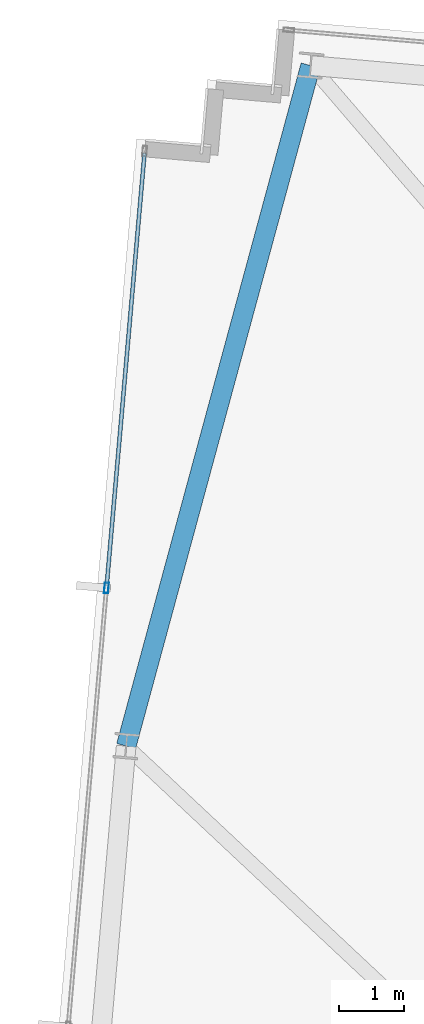
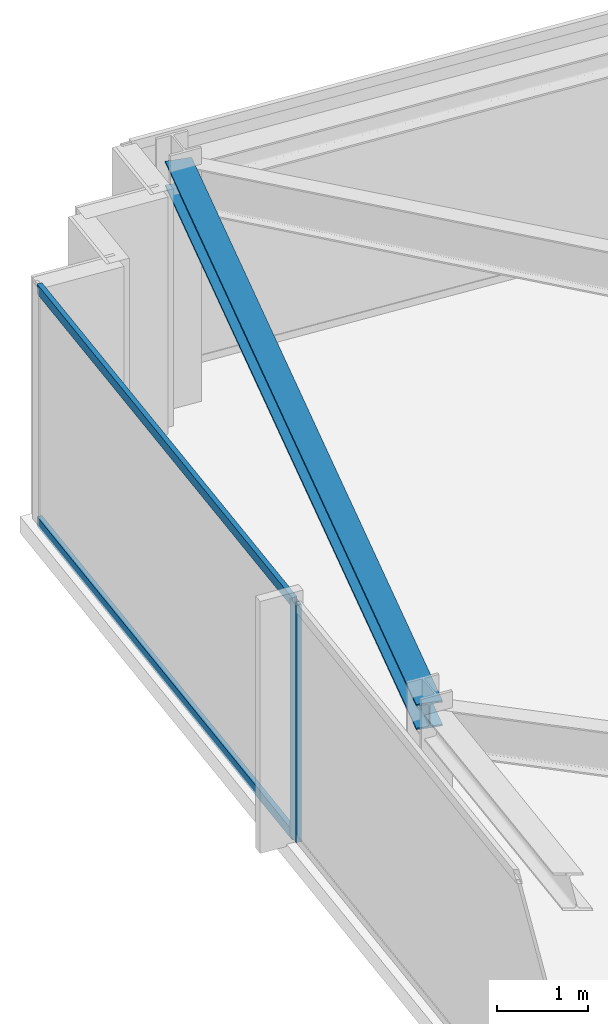
# One storey, part 11 of 32: 3 members, 1 beam, 1 element without a shape of its own.
"""IFC4 building model written with IfcOpenShell, lengths in metres."""

from ifc_helpers import new_model, si_unit, direction, frame, origin, origin_2d, place, context, subcontext, project, spatial, hollow_rectangle, i_section, extrude, material, material_profile, profile_set, type_object, element, aggregate, save


model = new_model("IFC4")

# Units and contexts
model_context = context("Model", 3, precision=1e-05, world=origin(), true_north=direction((0.0, 1.0)))
body_context = subcontext(model_context, "Body", "Model", "MODEL_VIEW")
ifc_project = project(units=[si_unit("LENGTHUNIT", "METRE"), si_unit("AREAUNIT", "SQUARE_METRE"), si_unit("VOLUMEUNIT", "CUBIC_METRE"), si_unit("PLANEANGLEUNIT", "RADIAN"), si_unit("MASSUNIT", "GRAM", prefix="KILO")], contexts=[model_context])

# Site, building, storey
site_placement = place(None, origin())
site = spatial("IfcSite", under=ifc_project, at=site_placement, CompositionType="ELEMENT")
building_placement = place(site_placement, origin())
building = spatial("IfcBuilding", under=site, at=building_placement, Name="Yelkora Congress Tower", CompositionType="ELEMENT")
storey_placement = place(building_placement, frame((0.0, 0.0, 265.89990234375)))
storey = spatial("IfcBuildingStorey", under=building, at=storey_placement, Name="L74", CompositionType="ELEMENT", Elevation=265.89990234375)

# Beam
ifc_material_1 = material(Name="Steel S355J2", Category="steel")
ifc_material_profile_1 = material_profile(ifc_material_1, i_section(OverallWidth=0.300048828125, OverallDepth=0.340087890625, WebThickness=0.011962890625, FlangeThickness=0.021484375, FilletRadius=0.027099609375, at=origin_2d()), Name="HEB 340")
ifc_profile_set_1 = profile_set([ifc_material_profile_1], Name="Steel S355J2")
beam_type = type_object("IfcBeamType", Name="BM-SPAN-HEB340", PredefinedType="SPANDREL", material=ifc_profile_set_1)
beam_placement = place(storey_placement, frame((10.60400390625, 49.884033203125, 3.010009765625), z_axis=(-0.261553643334, -0.965188940912, 0.0), x_axis=(0.965188940912, -0.261553643334, 0.0)))
element("IfcBeam", 1, at=beam_placement, inside=storey, type_object=beam_type, Name="L74 Perimeter Beam 13", PredefinedType="SPANDREL", context=body_context, shape_type="SweptSolid", body=[
    extrude(i_section(OverallWidth=0.300048828125, OverallDepth=0.340087890625, WebThickness=0.011962890625, FlangeThickness=0.021484375, FilletRadius=0.027099609375, at=origin_2d()), origin(), (0.0, 0.0, 1.0), 10.768798828125),
])

# Curtain wall, members
ifc_material_2 = material(Name="Anodised aluminium and insulated glass", Category="aluminium")
curtain_wall_type = type_object("IfcCurtainWallType", Name="CW-SYS-B5", PredefinedType="NOTDEFINED", material=ifc_material_2)
curtain_wall_placement = place(storey_placement, origin())
curtain_wall = element("IfcCurtainWall", 2, at=curtain_wall_placement, inside=storey, type_object=curtain_wall_type, Name="L74 Unitised Curtain Wall 5", PredefinedType="NOTDEFINED")
ifc_material_3 = material(Name="Anodised aluminium 6063-T6", Category="aluminium")
ifc_material_profile_2 = material_profile(ifc_material_3, hollow_rectangle(XDim=0.06494140625, YDim=0.159912109375, WallThickness=0.00390625, at=origin_2d()), Name="ALU 65x160x4")
ifc_profile_set_2 = profile_set([ifc_material_profile_2], Name="Anodised aluminium 6063-T6")
member_type_1 = type_object("IfcMemberType", Name="MEM-ML-B5", PredefinedType="MULLION", material=ifc_profile_set_2)
member_1_placement = place(storey_placement, frame((7.48681640625, 41.9052734375, 0.0), z_axis=(0.0, 0.0, 1.0), x_axis=(-0.996194785929, 0.08715473876, 0.0)))
member_1 = element("IfcMember", 3, at=member_1_placement, type_object=member_type_1, Name="CW-B5 mullion 4", PredefinedType="MULLION", context=body_context, shape_type="SweptSolid", body=[
    extrude(hollow_rectangle(XDim=0.06494140625, YDim=0.159912109375, WallThickness=0.00390625, at=origin_2d()), origin(), (0.0, 0.0, 1.0), 3.18017578125),
])
ifc_material_profile_3 = material_profile(ifc_material_3, hollow_rectangle(XDim=0.06005859375, YDim=0.1298828125, WallThickness=0.00390625, at=origin_2d()), Name="ALU 60x130x4")
ifc_profile_set_3 = profile_set([ifc_material_profile_3], Name="Anodised aluminium 6063-T6")
member_type_2 = type_object("IfcMemberType", Name="MEM-TR-B5", PredefinedType="USERDEFINED", material=ifc_profile_set_3)
member_2_placement = place(storey_placement, frame((7.489501953125, 41.937744140625, 0.030029296875), z_axis=(0.08716649365, 0.996193757451, 0.0), x_axis=(-0.996193757451, 0.08716649365, 0.0)))
member_2 = element("IfcMember", 4, at=member_2_placement, type_object=member_type_2, Name="CW-B5 transom 4.1", ObjectType="TRANSOM", PredefinedType="USERDEFINED", context=body_context, shape_type="SweptSolid", body=[
    extrude(hollow_rectangle(XDim=0.06005859375, YDim=0.1298828125, WallThickness=0.00390625, at=origin_2d()), origin(), (0.0, 0.0, 1.0), 6.63232421875),
])
member_3_placement = place(storey_placement, frame((7.489501953125, 41.937744140625, 3.150146484375), z_axis=(0.08716649365, 0.996193757451, 0.0), x_axis=(-0.996193757451, 0.08716649365, 0.0)))
member_3 = element("IfcMember", 5, at=member_3_placement, type_object=member_type_2, Name="CW-B5 transom 4.2", ObjectType="TRANSOM", PredefinedType="USERDEFINED", context=body_context, shape_type="SweptSolid", body=[
    extrude(hollow_rectangle(XDim=0.06005859375, YDim=0.1298828125, WallThickness=0.00390625, at=origin_2d()), origin(), (0.0, 0.0, 1.0), 6.63232421875),
])
aggregate(curtain_wall, [member_1, member_2, member_3])

save(model, "model.ifc")
